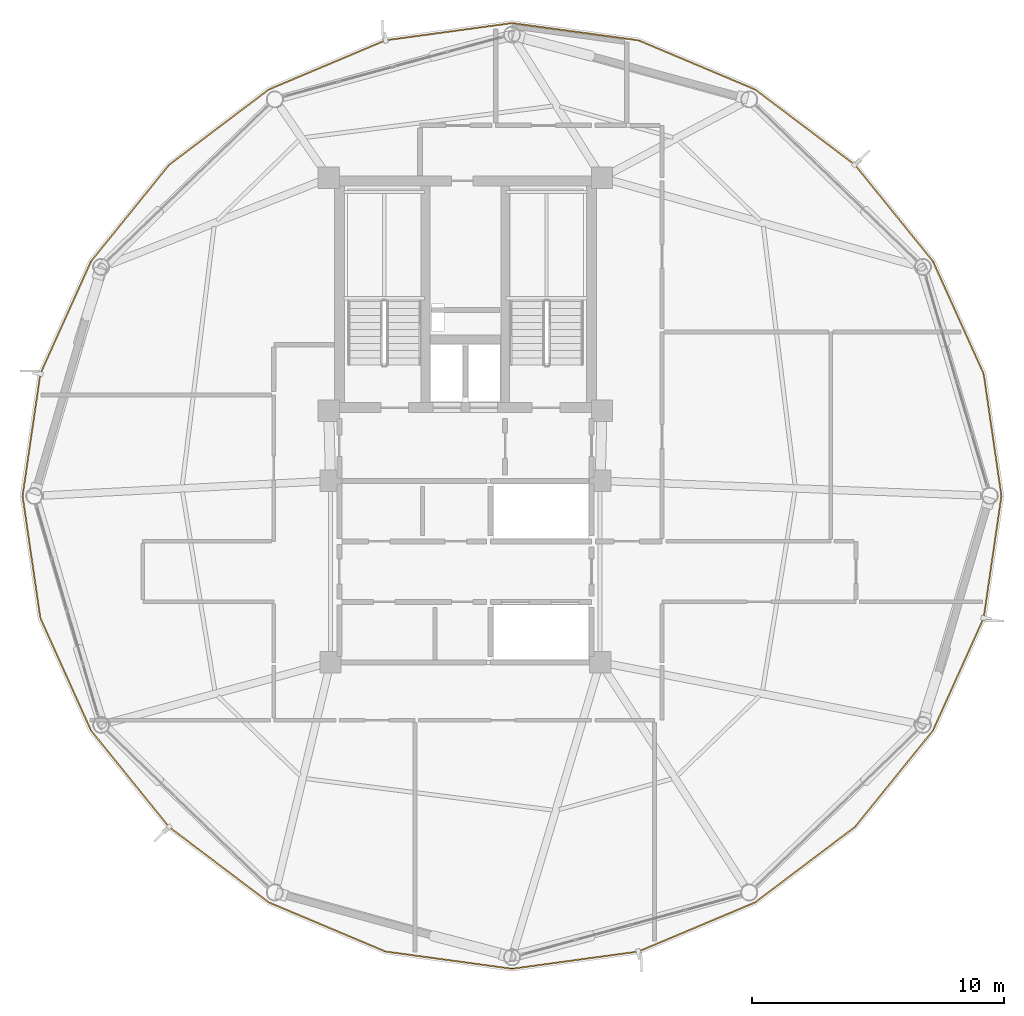
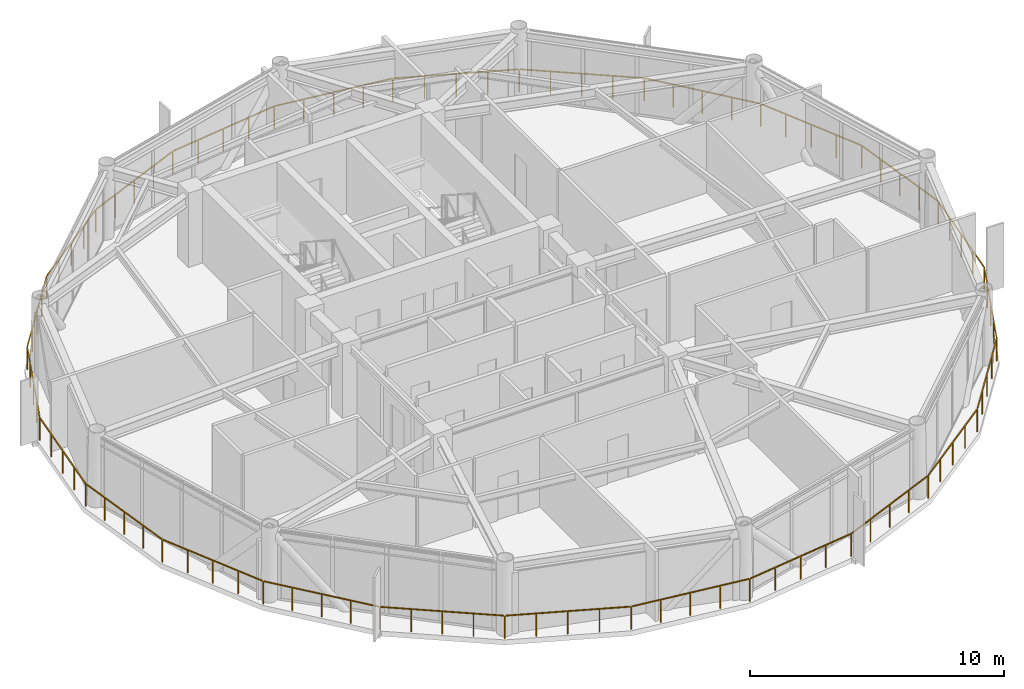
# One storey, part 25 of 26: 1 railing.
"""IFC4 building model written with IfcOpenShell, lengths in metres."""

from ifc_helpers import new_model, si_unit, direction, frame, origin, origin_2d, place, context, subcontext, project, spatial, rectangle, extrude, material, type_object, element, save


model = new_model("IFC4")

# Units and contexts
model_context = context("Model", 3, precision=1e-05, world=origin(), true_north=direction((0.0, 1.0)))
body_context = subcontext(model_context, "Body", "Model", "MODEL_VIEW")
ifc_project = project(units=[si_unit("LENGTHUNIT", "METRE"), si_unit("AREAUNIT", "SQUARE_METRE"), si_unit("VOLUMEUNIT", "CUBIC_METRE"), si_unit("PLANEANGLEUNIT", "RADIAN"), si_unit("MASSUNIT", "GRAM", prefix="KILO")], contexts=[model_context])

# Site, building, storey
site_placement = place(None, origin())
site = spatial("IfcSite", under=ifc_project, at=site_placement, CompositionType="ELEMENT")
building_placement = place(site_placement, origin())
building = spatial("IfcBuilding", under=site, at=building_placement, Name="Varnakorn Sky Granary", CompositionType="ELEMENT")
storey_placement = place(building_placement, frame((0.0, 0.0, 222.0)))
storey = spatial("IfcBuildingStorey", under=building, at=storey_placement, Name="L56", CompositionType="ELEMENT", Elevation=222.0)

# Railing
ifc_material = material(Name="Anodised Bronze Aluminium Alloy 6063-T6", Category="aluminium")
railing_type = type_object("IfcRailingType", Name="RL-BAL-1120", PredefinedType="BALUSTRADE", material=ifc_material)
railing_placement = place(storey_placement, frame((24.267822265625, 0.0, 0.0)))
element("IfcRailing", 1, at=railing_placement, inside=storey, type_object=railing_type, Name="Perimeter Slab-Edge Safety Guard L56", PredefinedType="BALUSTRADE", context=body_context, shape_type="SweptSolid", body=[
    extrude(rectangle(XDim=0.048095703125, YDim=0.048095703125, at=origin_2d()), frame((-0.004150390625, -0.027587890625, 1.09619140625), z_axis=(-0.143970944316, -0.989581915352, 0.0), x_axis=(0.989581915352, -0.143970944316, 0.0)), (0.0, 0.0, 1.0), 4.836181640625),
    extrude(rectangle(XDim=0.048095703125, YDim=0.048095703125, at=origin_2d()), frame((-0.7158203125, -4.866943359375, 1.09619140625), z_axis=(-0.410658806151, -0.911789090158, 0.0), x_axis=(0.911789090158, -0.410658806151, 0.0)), (0.0, 0.0, 1.0), 4.844482421875),
    extrude(rectangle(XDim=0.048095703125, YDim=0.048095703125, at=origin_2d()), frame((-2.734375, -9.331298828125, 1.09619140625), z_axis=(-0.629009886123, -0.777397300716, 0.0), x_axis=(0.777397300716, -0.629009886123, 0.0)), (0.0, 0.0, 1.0), 4.86669921875),
    extrude(rectangle(XDim=0.048095703125, YDim=0.048095703125, at=origin_2d()), frame((-5.835693359375, -13.1533203125, 1.09619140625), z_axis=(-0.79803702627, -0.602608417385, 0.0), x_axis=(0.602608417385, -0.79803702627, 0.0)), (0.0, 0.0, 1.0), 4.909912109375),
    extrude(rectangle(XDim=0.048095703125, YDim=0.048095703125, at=origin_2d()), frame((-9.802001953125, -16.1396484375, 1.09619140625), z_axis=(-0.921703086912, -0.387896145349, 0.0), x_axis=(0.387896145349, -0.921703086912, 0.0)), (0.0, 0.0, 1.0), 4.96533203125),
    extrude(rectangle(XDim=0.048095703125, YDim=0.048095703125, at=origin_2d()), frame((-14.43212890625, -18.080322265625, 1.09619140625), z_axis=(-0.990863904024, -0.134865576418, 0.0), x_axis=(0.134865576418, -0.990863904024, 0.0)), (0.0, 0.0, 1.0), 5.003662109375),
    extrude(rectangle(XDim=0.048095703125, YDim=0.048095703125, at=origin_2d()), frame((-19.445556640625, -18.75537109375, 1.09619140625), z_axis=(-0.990864781611, 0.134859128584, 0.0), x_axis=(-0.134859128584, -0.990864781611, 0.0)), (0.0, 0.0, 1.0), 5.00390625),
    extrude(rectangle(XDim=0.048095703125, YDim=0.048095703125, at=origin_2d()), frame((-24.457275390625, -18.06591796875, 1.09619140625), z_axis=(-0.921703086912, 0.387896145349, 0.0), x_axis=(-0.387896145349, -0.921703086912, 0.0)), (0.0, 0.0, 1.0), 4.96533203125),
    extrude(rectangle(XDim=0.048095703125, YDim=0.048095703125, at=origin_2d()), frame((-29.08203125, -16.112060546875, 1.09619140625), z_axis=(-0.79803702627, 0.602608417385, 0.0), x_axis=(-0.602608417385, -0.79803702627, 0.0)), (0.0, 0.0, 1.0), 4.909912109375),
    extrude(rectangle(XDim=0.048095703125, YDim=0.048095703125, at=origin_2d()), frame((-33.0400390625, -13.11474609375, 1.09619140625), z_axis=(-0.629009886123, 0.777397300716, 0.0), x_axis=(-0.777397300716, -0.629009886123, 0.0)), (0.0, 0.0, 1.0), 4.86669921875),
    extrude(rectangle(XDim=0.048095703125, YDim=0.048095703125, at=origin_2d()), frame((-36.13037109375, -9.283935546875, 1.09619140625), z_axis=(-0.410658806151, 0.911789090158, 0.0), x_axis=(-0.911789090158, -0.410658806151, 0.0)), (0.0, 0.0, 1.0), 4.844482421875),
    extrude(rectangle(XDim=0.048095703125, YDim=0.048095703125, at=origin_2d()), frame((-38.135498046875, -4.813720703125, 1.09619140625), z_axis=(-0.143970944316, 0.989581915352, 0.0), x_axis=(-0.989581915352, -0.143970944316, 0.0)), (0.0, 0.0, 1.0), 4.836181640625),
    extrude(rectangle(XDim=0.048095703125, YDim=0.048095703125, at=origin_2d()), frame((-38.83154296875, 0.027587890625, 1.09619140625), z_axis=(0.143970944316, 0.989581915352, 0.0), x_axis=(-0.989581915352, 0.143970944316, 0.0)), (0.0, 0.0, 1.0), 4.836181640625),
    extrude(rectangle(XDim=0.048095703125, YDim=0.048095703125, at=origin_2d()), frame((-38.119873046875, 4.866943359375, 1.09619140625), z_axis=(0.410658806151, 0.911789090158, 0.0), x_axis=(-0.911789090158, 0.410658806151, 0.0)), (0.0, 0.0, 1.0), 4.844482421875),
    extrude(rectangle(XDim=0.048095703125, YDim=0.048095703125, at=origin_2d()), frame((-36.101318359375, 9.331298828125, 1.09619140625), z_axis=(0.629009886123, 0.777397300716, 0.0), x_axis=(-0.777397300716, 0.629009886123, 0.0)), (0.0, 0.0, 1.0), 4.86669921875),
    extrude(rectangle(XDim=0.048095703125, YDim=0.048095703125, at=origin_2d()), frame((-33.0, 13.1533203125, 1.09619140625), z_axis=(0.79803702627, 0.602608417385, 0.0), x_axis=(-0.602608417385, 0.79803702627, 0.0)), (0.0, 0.0, 1.0), 4.909912109375),
    extrude(rectangle(XDim=0.048095703125, YDim=0.048095703125, at=origin_2d()), frame((-29.03369140625, 16.1396484375, 1.09619140625), z_axis=(0.921703086912, 0.387896145349, 0.0), x_axis=(-0.387896145349, 0.921703086912, 0.0)), (0.0, 0.0, 1.0), 4.96533203125),
    extrude(rectangle(XDim=0.048095703125, YDim=0.048095703125, at=origin_2d()), frame((-24.403564453125, 18.080322265625, 1.09619140625), z_axis=(0.990864781611, 0.134859128584, 0.0), x_axis=(-0.134859128584, 0.990864781611, 0.0)), (0.0, 0.0, 1.0), 5.00390625),
    extrude(rectangle(XDim=0.048095703125, YDim=0.048095703125, at=origin_2d()), frame((-19.389892578125, 18.75537109375, 1.09619140625), z_axis=(0.990863904024, -0.134865576418, 0.0), x_axis=(0.134865576418, 0.990863904024, 0.0)), (0.0, 0.0, 1.0), 5.003662109375),
    extrude(rectangle(XDim=0.048095703125, YDim=0.048095703125, at=origin_2d()), frame((-14.37841796875, 18.06591796875, 1.09619140625), z_axis=(0.921703086912, -0.387896145349, 0.0), x_axis=(0.387896145349, 0.921703086912, 0.0)), (0.0, 0.0, 1.0), 4.96533203125),
    extrude(rectangle(XDim=0.048095703125, YDim=0.048095703125, at=origin_2d()), frame((-9.753662109375, 16.112060546875, 1.09619140625), z_axis=(0.79803702627, -0.602608417385, 0.0), x_axis=(0.602608417385, 0.79803702627, 0.0)), (0.0, 0.0, 1.0), 4.909912109375),
    extrude(rectangle(XDim=0.048095703125, YDim=0.048095703125, at=origin_2d()), frame((-5.795654296875, 13.11474609375, 1.09619140625), z_axis=(0.629009886123, -0.777397300716, 0.0), x_axis=(0.777397300716, 0.629009886123, 0.0)), (0.0, 0.0, 1.0), 4.86669921875),
    extrude(rectangle(XDim=0.048095703125, YDim=0.048095703125, at=origin_2d()), frame((-2.705322265625, 9.283935546875, 1.09619140625), z_axis=(0.410658806151, -0.911789090158, 0.0), x_axis=(0.911789090158, 0.410658806151, 0.0)), (0.0, 0.0, 1.0), 4.844482421875),
    extrude(rectangle(XDim=0.048095703125, YDim=0.048095703125, at=origin_2d()), frame((-0.7001953125, 4.813720703125, 1.09619140625), z_axis=(0.143970944316, -0.989581915352, 0.0), x_axis=(0.989581915352, 0.143970944316, 0.0)), (0.0, 0.0, 1.0), 4.836181640625),
    extrude(rectangle(XDim=0.0419921875, YDim=0.0419921875, at=origin_2d()), origin(), (0.0, 0.0, 1.0), 1.068115234375),
    extrude(rectangle(XDim=0.0419921875, YDim=0.0419921875, at=origin_2d()), frame((-0.176025390625, -1.21044921875, 0.0)), (0.0, 0.0, 1.0), 1.068115234375),
    extrude(rectangle(XDim=0.0419921875, YDim=0.0419921875, at=origin_2d()), frame((-0.35205078125, -2.420654296875, 0.0)), (0.0, 0.0, 1.0), 1.068115234375),
    extrude(rectangle(XDim=0.0419921875, YDim=0.0419921875, at=origin_2d()), frame((-0.5283203125, -3.630859375, 0.0)), (0.0, 0.0, 1.0), 1.068115234375),
    extrude(rectangle(XDim=0.0419921875, YDim=0.0419921875, at=origin_2d()), frame((-0.704345703125, -4.84130859375, 0.0)), (0.0, 0.0, 1.0), 1.068115234375),
    extrude(rectangle(XDim=0.0419921875, YDim=0.0419921875, at=origin_2d()), frame((-1.20751953125, -5.95849609375, 0.0)), (0.0, 0.0, 1.0), 1.068115234375),
    extrude(rectangle(XDim=0.0419921875, YDim=0.0419921875, at=origin_2d()), frame((-1.71044921875, -7.075439453125, 0.0)), (0.0, 0.0, 1.0), 1.068115234375),
    extrude(rectangle(XDim=0.0419921875, YDim=0.0419921875, at=origin_2d()), frame((-2.213623046875, -8.1923828125, 0.0)), (0.0, 0.0, 1.0), 1.068115234375),
    extrude(rectangle(XDim=0.0419921875, YDim=0.0419921875, at=origin_2d()), frame((-2.716796875, -9.3095703125, 0.0)), (0.0, 0.0, 1.0), 1.068115234375),
    extrude(rectangle(XDim=0.0419921875, YDim=0.0419921875, at=origin_2d()), frame((-3.490966796875, -10.266357421875, 0.0)), (0.0, 0.0, 1.0), 1.068115234375),
    extrude(rectangle(XDim=0.0419921875, YDim=0.0419921875, at=origin_2d()), frame((-4.26513671875, -11.22314453125, 0.0)), (0.0, 0.0, 1.0), 1.068115234375),
    extrude(rectangle(XDim=0.0419921875, YDim=0.0419921875, at=origin_2d()), frame((-5.0390625, -12.1796875, 0.0)), (0.0, 0.0, 1.0), 1.068115234375),
    extrude(rectangle(XDim=0.0419921875, YDim=0.0419921875, at=origin_2d()), frame((-5.813232421875, -13.136474609375, 0.0)), (0.0, 0.0, 1.0), 1.068115234375),
    extrude(rectangle(XDim=0.0419921875, YDim=0.0419921875, at=origin_2d()), frame((-6.803955078125, -13.884521484375, 0.0)), (0.0, 0.0, 1.0), 1.068115234375),
    extrude(rectangle(XDim=0.0419921875, YDim=0.0419921875, at=origin_2d()), frame((-7.794677734375, -14.6328125, 0.0)), (0.0, 0.0, 1.0), 1.068115234375),
    extrude(rectangle(XDim=0.0419921875, YDim=0.0419921875, at=origin_2d()), frame((-8.785400390625, -15.380859375, 0.0)), (0.0, 0.0, 1.0), 1.068115234375),
    extrude(rectangle(XDim=0.0419921875, YDim=0.0419921875, at=origin_2d()), frame((-9.776123046875, -16.12890625, 0.0)), (0.0, 0.0, 1.0), 1.068115234375),
    extrude(rectangle(XDim=0.0419921875, YDim=0.0419921875, at=origin_2d()), frame((-10.93310546875, -16.61572265625, 0.0)), (0.0, 0.0, 1.0), 1.068115234375),
    extrude(rectangle(XDim=0.0419921875, YDim=0.0419921875, at=origin_2d()), frame((-12.09033203125, -17.102783203125, 0.0)), (0.0, 0.0, 1.0), 1.068115234375),
    extrude(rectangle(XDim=0.0419921875, YDim=0.0419921875, at=origin_2d()), frame((-13.247314453125, -17.58984375, 0.0)), (0.0, 0.0, 1.0), 1.068115234375),
    extrude(rectangle(XDim=0.0419921875, YDim=0.0419921875, at=origin_2d()), frame((-14.404296875, -18.07666015625, 0.0)), (0.0, 0.0, 1.0), 1.068115234375),
    extrude(rectangle(XDim=0.0419921875, YDim=0.0419921875, at=origin_2d()), frame((-15.65771484375, -18.247314453125, 0.0)), (0.0, 0.0, 1.0), 1.068115234375),
    extrude(rectangle(XDim=0.0419921875, YDim=0.0419921875, at=origin_2d()), frame((-16.9111328125, -18.41796875, 0.0)), (0.0, 0.0, 1.0), 1.068115234375),
    extrude(rectangle(XDim=0.0419921875, YDim=0.0419921875, at=origin_2d()), frame((-18.164306640625, -18.58837890625, 0.0)), (0.0, 0.0, 1.0), 1.068115234375),
    extrude(rectangle(XDim=0.0419921875, YDim=0.0419921875, at=origin_2d()), frame((-19.417724609375, -18.759033203125, 0.0)), (0.0, 0.0, 1.0), 1.068115234375),
    extrude(rectangle(XDim=0.0419921875, YDim=0.0419921875, at=origin_2d()), frame((-20.671142578125, -18.58837890625, 0.0)), (0.0, 0.0, 1.0), 1.068115234375),
    extrude(rectangle(XDim=0.0419921875, YDim=0.0419921875, at=origin_2d()), frame((-21.924560546875, -18.41796875, 0.0)), (0.0, 0.0, 1.0), 1.068115234375),
    extrude(rectangle(XDim=0.0419921875, YDim=0.0419921875, at=origin_2d()), frame((-23.177978515625, -18.247314453125, 0.0)), (0.0, 0.0, 1.0), 1.068115234375),
    extrude(rectangle(XDim=0.0419921875, YDim=0.0419921875, at=origin_2d()), frame((-24.431396484375, -18.07666015625, 0.0)), (0.0, 0.0, 1.0), 1.068115234375),
    extrude(rectangle(XDim=0.0419921875, YDim=0.0419921875, at=origin_2d()), frame((-25.58837890625, -17.58984375, 0.0)), (0.0, 0.0, 1.0), 1.068115234375),
    extrude(rectangle(XDim=0.0419921875, YDim=0.0419921875, at=origin_2d()), frame((-26.74560546875, -17.102783203125, 0.0)), (0.0, 0.0, 1.0), 1.068115234375),
    extrude(rectangle(XDim=0.0419921875, YDim=0.0419921875, at=origin_2d()), frame((-27.902587890625, -16.61572265625, 0.0)), (0.0, 0.0, 1.0), 1.068115234375),
    extrude(rectangle(XDim=0.0419921875, YDim=0.0419921875, at=origin_2d()), frame((-29.0595703125, -16.12890625, 0.0)), (0.0, 0.0, 1.0), 1.068115234375),
    extrude(rectangle(XDim=0.0419921875, YDim=0.0419921875, at=origin_2d()), frame((-30.05029296875, -15.380859375, 0.0)), (0.0, 0.0, 1.0), 1.068115234375),
    extrude(rectangle(XDim=0.0419921875, YDim=0.0419921875, at=origin_2d()), frame((-31.041015625, -14.6328125, 0.0)), (0.0, 0.0, 1.0), 1.068115234375),
    extrude(rectangle(XDim=0.0419921875, YDim=0.0419921875, at=origin_2d()), frame((-32.03173828125, -13.884521484375, 0.0)), (0.0, 0.0, 1.0), 1.068115234375),
    extrude(rectangle(XDim=0.0419921875, YDim=0.0419921875, at=origin_2d()), frame((-33.0224609375, -13.136474609375, 0.0)), (0.0, 0.0, 1.0), 1.068115234375),
    extrude(rectangle(XDim=0.0419921875, YDim=0.0419921875, at=origin_2d()), frame((-33.796630859375, -12.1796875, 0.0)), (0.0, 0.0, 1.0), 1.068115234375),
    extrude(rectangle(XDim=0.0419921875, YDim=0.0419921875, at=origin_2d()), frame((-34.57080078125, -11.22314453125, 0.0)), (0.0, 0.0, 1.0), 1.068115234375),
    extrude(rectangle(XDim=0.0419921875, YDim=0.0419921875, at=origin_2d()), frame((-35.3447265625, -10.266357421875, 0.0)), (0.0, 0.0, 1.0), 1.068115234375),
    extrude(rectangle(XDim=0.0419921875, YDim=0.0419921875, at=origin_2d()), frame((-36.118896484375, -9.3095703125, 0.0)), (0.0, 0.0, 1.0), 1.068115234375),
    extrude(rectangle(XDim=0.0419921875, YDim=0.0419921875, at=origin_2d()), frame((-36.6220703125, -8.1923828125, 0.0)), (0.0, 0.0, 1.0), 1.068115234375),
    extrude(rectangle(XDim=0.0419921875, YDim=0.0419921875, at=origin_2d()), frame((-37.125, -7.075439453125, 0.0)), (0.0, 0.0, 1.0), 1.068115234375),
    extrude(rectangle(XDim=0.0419921875, YDim=0.0419921875, at=origin_2d()), frame((-37.628173828125, -5.95849609375, 0.0)), (0.0, 0.0, 1.0), 1.068115234375),
    extrude(rectangle(XDim=0.0419921875, YDim=0.0419921875, at=origin_2d()), frame((-38.13134765625, -4.84130859375, 0.0)), (0.0, 0.0, 1.0), 1.068115234375),
    extrude(rectangle(XDim=0.0419921875, YDim=0.0419921875, at=origin_2d()), frame((-38.307373046875, -3.630859375, 0.0)), (0.0, 0.0, 1.0), 1.068115234375),
    extrude(rectangle(XDim=0.0419921875, YDim=0.0419921875, at=origin_2d()), frame((-38.4833984375, -2.420654296875, 0.0)), (0.0, 0.0, 1.0), 1.068115234375),
    extrude(rectangle(XDim=0.0419921875, YDim=0.0419921875, at=origin_2d()), frame((-38.65966796875, -1.21044921875, 0.0)), (0.0, 0.0, 1.0), 1.068115234375),
    extrude(rectangle(XDim=0.0419921875, YDim=0.0419921875, at=origin_2d()), frame((-38.835693359375, 0.0, 0.0)), (0.0, 0.0, 1.0), 1.068115234375),
    extrude(rectangle(XDim=0.0419921875, YDim=0.0419921875, at=origin_2d()), frame((-38.65966796875, 1.21044921875, 0.0)), (0.0, 0.0, 1.0), 1.068115234375),
    extrude(rectangle(XDim=0.0419921875, YDim=0.0419921875, at=origin_2d()), frame((-38.4833984375, 2.420654296875, 0.0)), (0.0, 0.0, 1.0), 1.068115234375),
    extrude(rectangle(XDim=0.0419921875, YDim=0.0419921875, at=origin_2d()), frame((-38.307373046875, 3.630859375, 0.0)), (0.0, 0.0, 1.0), 1.068115234375),
    extrude(rectangle(XDim=0.0419921875, YDim=0.0419921875, at=origin_2d()), frame((-38.13134765625, 4.84130859375, 0.0)), (0.0, 0.0, 1.0), 1.068115234375),
    extrude(rectangle(XDim=0.0419921875, YDim=0.0419921875, at=origin_2d()), frame((-37.628173828125, 5.95849609375, 0.0)), (0.0, 0.0, 1.0), 1.068115234375),
    extrude(rectangle(XDim=0.0419921875, YDim=0.0419921875, at=origin_2d()), frame((-37.125, 7.075439453125, 0.0)), (0.0, 0.0, 1.0), 1.068115234375),
    extrude(rectangle(XDim=0.0419921875, YDim=0.0419921875, at=origin_2d()), frame((-36.6220703125, 8.1923828125, 0.0)), (0.0, 0.0, 1.0), 1.068115234375),
    extrude(rectangle(XDim=0.0419921875, YDim=0.0419921875, at=origin_2d()), frame((-36.118896484375, 9.3095703125, 0.0)), (0.0, 0.0, 1.0), 1.068115234375),
    extrude(rectangle(XDim=0.0419921875, YDim=0.0419921875, at=origin_2d()), frame((-35.3447265625, 10.266357421875, 0.0)), (0.0, 0.0, 1.0), 1.068115234375),
    extrude(rectangle(XDim=0.0419921875, YDim=0.0419921875, at=origin_2d()), frame((-34.57080078125, 11.22314453125, 0.0)), (0.0, 0.0, 1.0), 1.068115234375),
    extrude(rectangle(XDim=0.0419921875, YDim=0.0419921875, at=origin_2d()), frame((-33.796630859375, 12.1796875, 0.0)), (0.0, 0.0, 1.0), 1.068115234375),
    extrude(rectangle(XDim=0.0419921875, YDim=0.0419921875, at=origin_2d()), frame((-33.0224609375, 13.136474609375, 0.0)), (0.0, 0.0, 1.0), 1.068115234375),
    extrude(rectangle(XDim=0.0419921875, YDim=0.0419921875, at=origin_2d()), frame((-32.03173828125, 13.884521484375, 0.0)), (0.0, 0.0, 1.0), 1.068115234375),
    extrude(rectangle(XDim=0.0419921875, YDim=0.0419921875, at=origin_2d()), frame((-31.041015625, 14.6328125, 0.0)), (0.0, 0.0, 1.0), 1.068115234375),
    extrude(rectangle(XDim=0.0419921875, YDim=0.0419921875, at=origin_2d()), frame((-30.05029296875, 15.380859375, 0.0)), (0.0, 0.0, 1.0), 1.068115234375),
    extrude(rectangle(XDim=0.0419921875, YDim=0.0419921875, at=origin_2d()), frame((-29.0595703125, 16.12890625, 0.0)), (0.0, 0.0, 1.0), 1.068115234375),
    extrude(rectangle(XDim=0.0419921875, YDim=0.0419921875, at=origin_2d()), frame((-27.902587890625, 16.61572265625, 0.0)), (0.0, 0.0, 1.0), 1.068115234375),
    extrude(rectangle(XDim=0.0419921875, YDim=0.0419921875, at=origin_2d()), frame((-26.74560546875, 17.102783203125, 0.0)), (0.0, 0.0, 1.0), 1.068115234375),
    extrude(rectangle(XDim=0.0419921875, YDim=0.0419921875, at=origin_2d()), frame((-25.58837890625, 17.58984375, 0.0)), (0.0, 0.0, 1.0), 1.068115234375),
    extrude(rectangle(XDim=0.0419921875, YDim=0.0419921875, at=origin_2d()), frame((-24.431396484375, 18.07666015625, 0.0)), (0.0, 0.0, 1.0), 1.068115234375),
    extrude(rectangle(XDim=0.0419921875, YDim=0.0419921875, at=origin_2d()), frame((-23.177978515625, 18.247314453125, 0.0)), (0.0, 0.0, 1.0), 1.068115234375),
    extrude(rectangle(XDim=0.0419921875, YDim=0.0419921875, at=origin_2d()), frame((-21.924560546875, 18.41796875, 0.0)), (0.0, 0.0, 1.0), 1.068115234375),
    extrude(rectangle(XDim=0.0419921875, YDim=0.0419921875, at=origin_2d()), frame((-20.671142578125, 18.58837890625, 0.0)), (0.0, 0.0, 1.0), 1.068115234375),
    extrude(rectangle(XDim=0.0419921875, YDim=0.0419921875, at=origin_2d()), frame((-19.417724609375, 18.759033203125, 0.0)), (0.0, 0.0, 1.0), 1.068115234375),
    extrude(rectangle(XDim=0.0419921875, YDim=0.0419921875, at=origin_2d()), frame((-18.164306640625, 18.58837890625, 0.0)), (0.0, 0.0, 1.0), 1.068115234375),
    extrude(rectangle(XDim=0.0419921875, YDim=0.0419921875, at=origin_2d()), frame((-16.9111328125, 18.41796875, 0.0)), (0.0, 0.0, 1.0), 1.068115234375),
    extrude(rectangle(XDim=0.0419921875, YDim=0.0419921875, at=origin_2d()), frame((-15.65771484375, 18.247314453125, 0.0)), (0.0, 0.0, 1.0), 1.068115234375),
    extrude(rectangle(XDim=0.0419921875, YDim=0.0419921875, at=origin_2d()), frame((-14.404296875, 18.07666015625, 0.0)), (0.0, 0.0, 1.0), 1.068115234375),
    extrude(rectangle(XDim=0.0419921875, YDim=0.0419921875, at=origin_2d()), frame((-13.247314453125, 17.58984375, 0.0)), (0.0, 0.0, 1.0), 1.068115234375),
    extrude(rectangle(XDim=0.0419921875, YDim=0.0419921875, at=origin_2d()), frame((-12.09033203125, 17.102783203125, 0.0)), (0.0, 0.0, 1.0), 1.068115234375),
    extrude(rectangle(XDim=0.0419921875, YDim=0.0419921875, at=origin_2d()), frame((-10.93310546875, 16.61572265625, 0.0)), (0.0, 0.0, 1.0), 1.068115234375),
    extrude(rectangle(XDim=0.0419921875, YDim=0.0419921875, at=origin_2d()), frame((-9.776123046875, 16.12890625, 0.0)), (0.0, 0.0, 1.0), 1.068115234375),
    extrude(rectangle(XDim=0.0419921875, YDim=0.0419921875, at=origin_2d()), frame((-8.785400390625, 15.380859375, 0.0)), (0.0, 0.0, 1.0), 1.068115234375),
    extrude(rectangle(XDim=0.0419921875, YDim=0.0419921875, at=origin_2d()), frame((-7.794677734375, 14.6328125, 0.0)), (0.0, 0.0, 1.0), 1.068115234375),
    extrude(rectangle(XDim=0.0419921875, YDim=0.0419921875, at=origin_2d()), frame((-6.803955078125, 13.884521484375, 0.0)), (0.0, 0.0, 1.0), 1.068115234375),
    extrude(rectangle(XDim=0.0419921875, YDim=0.0419921875, at=origin_2d()), frame((-5.813232421875, 13.136474609375, 0.0)), (0.0, 0.0, 1.0), 1.068115234375),
    extrude(rectangle(XDim=0.0419921875, YDim=0.0419921875, at=origin_2d()), frame((-5.0390625, 12.1796875, 0.0)), (0.0, 0.0, 1.0), 1.068115234375),
    extrude(rectangle(XDim=0.0419921875, YDim=0.0419921875, at=origin_2d()), frame((-4.26513671875, 11.22314453125, 0.0)), (0.0, 0.0, 1.0), 1.068115234375),
    extrude(rectangle(XDim=0.0419921875, YDim=0.0419921875, at=origin_2d()), frame((-3.490966796875, 10.266357421875, 0.0)), (0.0, 0.0, 1.0), 1.068115234375),
    extrude(rectangle(XDim=0.0419921875, YDim=0.0419921875, at=origin_2d()), frame((-2.716796875, 9.3095703125, 0.0)), (0.0, 0.0, 1.0), 1.068115234375),
    extrude(rectangle(XDim=0.0419921875, YDim=0.0419921875, at=origin_2d()), frame((-2.213623046875, 8.1923828125, 0.0)), (0.0, 0.0, 1.0), 1.068115234375),
    extrude(rectangle(XDim=0.0419921875, YDim=0.0419921875, at=origin_2d()), frame((-1.71044921875, 7.075439453125, 0.0)), (0.0, 0.0, 1.0), 1.068115234375),
    extrude(rectangle(XDim=0.0419921875, YDim=0.0419921875, at=origin_2d()), frame((-1.20751953125, 5.95849609375, 0.0)), (0.0, 0.0, 1.0), 1.068115234375),
    extrude(rectangle(XDim=0.0419921875, YDim=0.0419921875, at=origin_2d()), frame((-0.704345703125, 4.84130859375, 0.0)), (0.0, 0.0, 1.0), 1.068115234375),
    extrude(rectangle(XDim=0.0419921875, YDim=0.0419921875, at=origin_2d()), frame((-0.5283203125, 3.630859375, 0.0)), (0.0, 0.0, 1.0), 1.068115234375),
    extrude(rectangle(XDim=0.0419921875, YDim=0.0419921875, at=origin_2d()), frame((-0.35205078125, 2.420654296875, 0.0)), (0.0, 0.0, 1.0), 1.068115234375),
    extrude(rectangle(XDim=0.0419921875, YDim=0.0419921875, at=origin_2d()), frame((-0.176025390625, 1.21044921875, 0.0)), (0.0, 0.0, 1.0), 1.068115234375),
])

save(model, "model.ifc")
